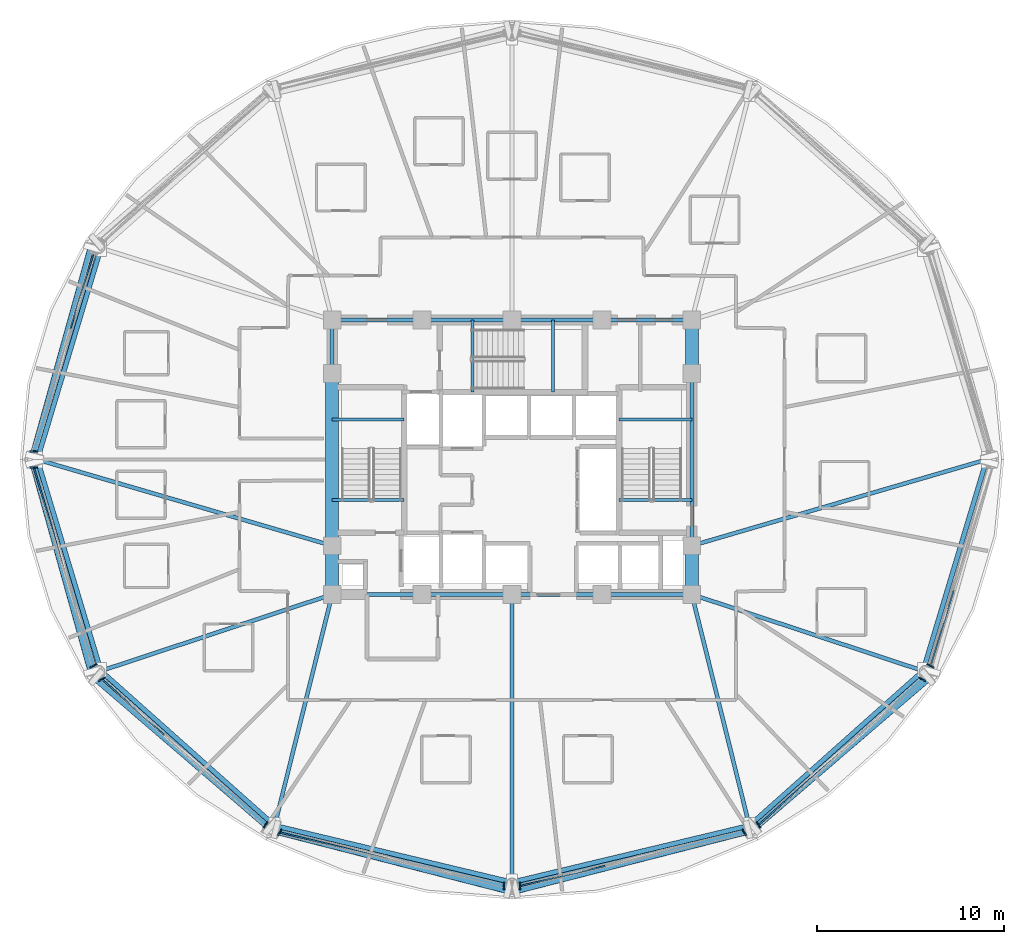
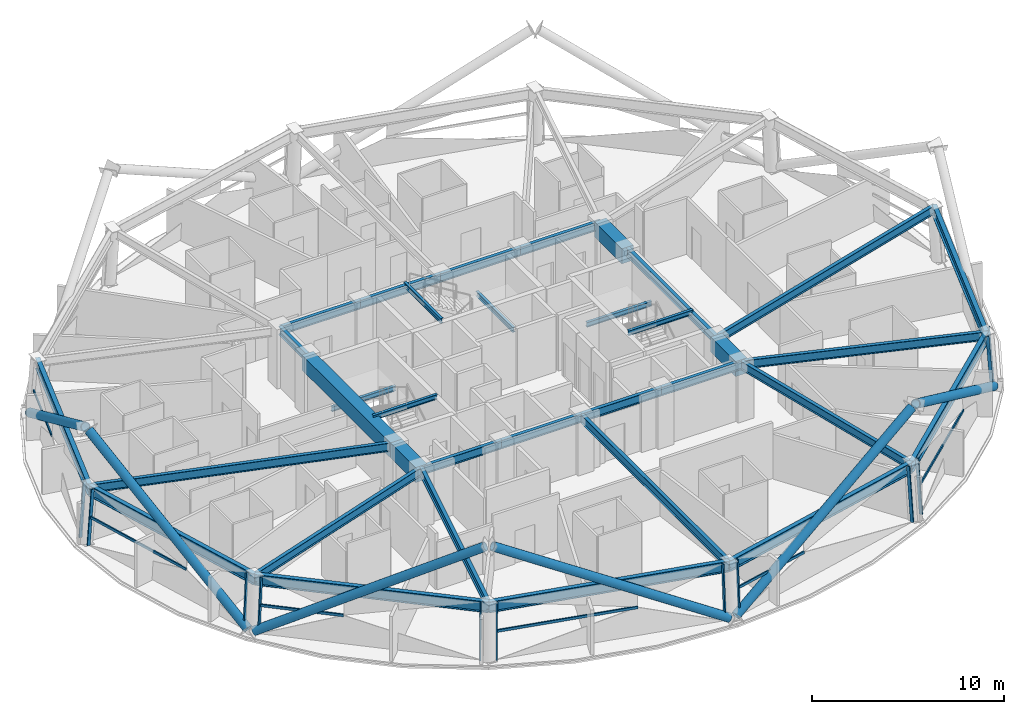
# One storey, part 2 of 14: 34 beams, 25 members, 7 elements without a shape of their own.
"""IFC4 building model written with IfcOpenShell, lengths in metres."""

from ifc_helpers import new_model, si_unit, direction, frame, origin, origin_2d, place, context, subcontext, project, spatial, rectangle, hollow_rectangle, hollow_circle, i_section, extrude, material, layer, layer_set, material_profile, profile_set, type_object, element, aggregate, save


model = new_model("IFC4")

# Units and contexts
model_context = context("Model", 3, precision=1e-05, world=origin(), true_north=direction((0.0, 1.0)))
body_context = subcontext(model_context, "Body", "Model", "MODEL_VIEW")
ifc_project = project(units=[si_unit("LENGTHUNIT", "METRE"), si_unit("AREAUNIT", "SQUARE_METRE"), si_unit("VOLUMEUNIT", "CUBIC_METRE"), si_unit("PLANEANGLEUNIT", "RADIAN"), si_unit("MASSUNIT", "GRAM", prefix="KILO")], contexts=[model_context])

# Site, building, storey
site_placement = place(None, origin())
site = spatial("IfcSite", under=ifc_project, at=site_placement, CompositionType="ELEMENT")
building_placement = place(site_placement, origin())
building = spatial("IfcBuilding", under=site, at=building_placement, Name="Vantalir Tower", CompositionType="ELEMENT")
storey_placement = place(building_placement, frame((0.0, 0.0, 112.199951171875)))
storey = spatial("IfcBuildingStorey", under=building, at=storey_placement, Name="L27", CompositionType="ELEMENT", Elevation=112.199951171875)

# Beams
ifc_material_1 = material(Name="Concrete C60/75", Category="concrete")
ifc_material_profile_1 = material_profile(ifc_material_1, rectangle(XDim=0.699951171875, YDim=0.949951171875, at=origin_2d()), Name="Concrete C60/75")
ifc_profile_set_1 = profile_set([ifc_material_profile_1], Name="Concrete C60/75")
beam_type_1 = type_object("IfcBeamType", Name="BM-CB-700x950", PredefinedType="USERDEFINED", material=ifc_profile_set_1)
beam_1_placement = place(storey_placement, frame((41.10009765625, 17.800048828125, 3.094970703125), z_axis=(0.0, 1.0, 0.0), x_axis=(-1.0, 0.0, 0.0)))
element("IfcBeam", 1, at=beam_1_placement, inside=storey, type_object=beam_type_1, Name="L27 Core Coupling Girder 05", ObjectType="GIRDER", PredefinedType="USERDEFINED", context=body_context, shape_type="SweptSolid", body=[
    extrude(rectangle(XDim=0.699951171875, YDim=0.949951171875, at=origin_2d()), origin(), (0.0, 0.0, 1.0), 2.599853515625),
])
beam_2_placement = place(storey_placement, frame((41.10009765625, 29.60009765625, 3.094970703125), z_axis=(0.0, 1.0, 0.0), x_axis=(-1.0, 0.0, 0.0)))
element("IfcBeam", 2, at=beam_2_placement, inside=storey, type_object=beam_type_1, Name="L27 Core Coupling Girder 07", ObjectType="GIRDER", PredefinedType="USERDEFINED", context=body_context, shape_type="SweptSolid", body=[
    extrude(rectangle(XDim=0.699951171875, YDim=0.949951171875, at=origin_2d()), origin(), (0.0, 0.0, 1.0), 2.849853515625),
])
beam_3_placement = place(storey_placement, frame((21.89990234375, 29.60009765625, 3.094970703125), z_axis=(0.0, -1.0, 0.0), x_axis=(1.0, 0.0, 0.0)))
element("IfcBeam", 3, at=beam_3_placement, inside=storey, type_object=beam_type_1, Name="L27 Core Coupling Girder 13", ObjectType="GIRDER", PredefinedType="USERDEFINED", context=body_context, shape_type="SweptSolid", body=[
    extrude(rectangle(XDim=0.699951171875, YDim=0.949951171875, at=origin_2d()), origin(), (0.0, 0.0, 1.0), 9.2001953125),
])
beam_4_placement = place(storey_placement, frame((21.89990234375, 20.39990234375, 3.094970703125), z_axis=(0.0, -1.0, 0.0), x_axis=(1.0, 0.0, 0.0)))
element("IfcBeam", 4, at=beam_4_placement, inside=storey, type_object=beam_type_1, Name="L27 Core Coupling Girder 14", ObjectType="GIRDER", PredefinedType="USERDEFINED", context=body_context, shape_type="SweptSolid", body=[
    extrude(rectangle(XDim=0.699951171875, YDim=0.949951171875, at=origin_2d()), origin(), (0.0, 0.0, 1.0), 2.599853515625),
])
ifc_material_2 = material(Name="Steel S355", Category="steel")
ifc_material_profile_2 = material_profile(ifc_material_2, i_section(OverallWidth=0.166015625, OverallDepth=0.306884765625, WebThickness=0.006591796875, FlangeThickness=0.01171875, at=origin_2d()), Name="Steel S355")
ifc_profile_set_2 = profile_set([ifc_material_profile_2], Name="Steel S355")
beam_type_2 = type_object("IfcBeamType", Name="BM-JS-305x165", PredefinedType="JOIST", material=ifc_profile_set_2)
for number, where, z_axis, x_axis, name in (
    (5, (21.89990234375, 22.8349609375, 3.59716796875), (1.0, 0.0, 0.0), (0.0, 1.0, 0.0), "L28 Stair ST1 Well Nosing Trimmer Beam"),
    (6, (21.89990234375, 27.14501953125, 1.52197265625), (1.0, 0.0, 0.0), (0.0, 1.0, 0.0), "L27 Stair ST1 Half-Landing Support Beam"),
):
    element("IfcBeam", number, at=place(storey_placement, frame(where, z_axis=z_axis, x_axis=x_axis)), inside=storey, type_object=beam_type_2, Name=name, PredefinedType="JOIST", context=body_context, shape_type="SweptSolid", body=[
        extrude(i_section(OverallWidth=0.166015625, OverallDepth=0.306884765625, WebThickness=0.006591796875, FlangeThickness=0.01171875, at=origin_2d()), origin(), (0.0, 0.0, 1.0), 3.840087890625),
    ])
for number, where, z_axis, x_axis, name in (
    (7, (37.2099609375, 22.8349609375, 3.59716796875), (1.0, 0.0, 0.0), (0.0, 1.0, 0.0), "L28 Stair ST2 Well Nosing Trimmer Beam"),
    (8, (37.2099609375, 27.14501953125, 1.52197265625), (1.0, 0.0, 0.0), (0.0, 1.0, 0.0), "L27 Stair ST2 Half-Landing Support Beam"),
):
    element("IfcBeam", number, at=place(storey_placement, frame(where, z_axis=z_axis, x_axis=x_axis)), inside=storey, type_object=beam_type_2, Name=name, PredefinedType="JOIST", context=body_context, shape_type="SweptSolid", body=[
        extrude(i_section(OverallWidth=0.166015625, OverallDepth=0.306884765625, WebThickness=0.006591796875, FlangeThickness=0.01171875, at=origin_2d()), origin(), (0.0, 0.0, 1.0), 3.89013671875),
    ])
for number, where, z_axis, x_axis, name in (
    (9, (29.385009765625, 28.60009765625, 3.59716796875), (0.0, 1.0, 0.0), (-1.0, 0.0, 0.0), "L28 Stair ST3 Well Nosing Trimmer Beam"),
    (10, (33.695068359375, 28.60009765625, 1.52197265625), (0.0, 1.0, 0.0), (-1.0, 0.0, 0.0), "L27 Stair ST3 Half-Landing Support Beam"),
):
    element("IfcBeam", number, at=place(storey_placement, frame(where, z_axis=z_axis, x_axis=x_axis)), inside=storey, type_object=beam_type_2, Name=name, PredefinedType="JOIST", context=body_context, shape_type="SweptSolid", body=[
        extrude(i_section(OverallWidth=0.166015625, OverallDepth=0.306884765625, WebThickness=0.006591796875, FlangeThickness=0.01171875, at=origin_2d()), origin(), (0.0, 0.0, 1.0), 3.849853515625),
    ])
ifc_material_profile_3 = material_profile(ifc_material_2, i_section(OverallWidth=0.2109375, OverallDepth=0.5390625, WebThickness=0.01171875, FlangeThickness=0.018798828125, at=origin_2d()), Name="Steel S355")
ifc_profile_set_3 = profile_set([ifc_material_profile_3], Name="Steel S355")
beam_type_3 = type_object("IfcBeamType", Name="BM-RB-533x210", PredefinedType="BEAM", material=ifc_profile_set_3)
for number, where, z_axis, x_axis, name in (
    (11, (21.89990234375, 17.800048828125, 3.300048828125), (1.0, 0.0, 0.0), (0.0, 1.0, 0.0), "L27 Core Coupling Girder 01"),
    (12, (26.699951171875, 17.800048828125, 3.300048828125), (1.0, 0.0, 0.0), (0.0, 1.0, 0.0), "L27 Core Coupling Girder 02"),
    (13, (31.5, 17.800048828125, 3.300048828125), (1.0, 0.0, 0.0), (0.0, 1.0, 0.0), "L27 Core Coupling Girder 03"),
    (14, (36.300048828125, 17.800048828125, 3.300048828125), (1.0, 0.0, 0.0), (0.0, 1.0, 0.0), "L27 Core Coupling Girder 04"),
):
    element("IfcBeam", number, at=place(storey_placement, frame(where, z_axis=z_axis, x_axis=x_axis)), inside=storey, type_object=beam_type_3, Name=name, PredefinedType="BEAM", context=body_context, shape_type="SweptSolid", body=[
        extrude(i_section(OverallWidth=0.2109375, OverallDepth=0.5390625, WebThickness=0.01171875, FlangeThickness=0.018798828125, at=origin_2d()), origin(), (0.0, 0.0, 1.0), 4.800048828125),
    ])
beam_5_placement = place(storey_placement, frame((41.10009765625, 20.39990234375, 3.300048828125), z_axis=(0.0, 1.0, 0.0), x_axis=(-1.0, 0.0, 0.0)))
element("IfcBeam", 15, at=beam_5_placement, inside=storey, type_object=beam_type_3, Name="L27 Core Coupling Girder 06", PredefinedType="BEAM", context=body_context, shape_type="SweptSolid", body=[
    extrude(i_section(OverallWidth=0.2109375, OverallDepth=0.5390625, WebThickness=0.01171875, FlangeThickness=0.018798828125, at=origin_2d()), origin(), (0.0, 0.0, 1.0), 9.2001953125),
])
for number, where, z_axis, x_axis, name in (
    (16, (41.10009765625, 32.449951171875, 3.300048828125), (-1.0, 0.0, 0.0), (0.0, -1.0, 0.0), "L27 Core Coupling Girder 08"),
    (17, (36.300048828125, 32.449951171875, 3.300048828125), (-1.0, 0.0, 0.0), (0.0, -1.0, 0.0), "L27 Core Coupling Girder 09"),
    (18, (31.5, 32.449951171875, 3.300048828125), (-1.0, 0.0, 0.0), (0.0, -1.0, 0.0), "L27 Core Coupling Girder 10"),
    (19, (26.699951171875, 32.449951171875, 3.300048828125), (-1.0, 0.0, 0.0), (0.0, -1.0, 0.0), "L27 Core Coupling Girder 11"),
):
    element("IfcBeam", number, at=place(storey_placement, frame(where, z_axis=z_axis, x_axis=x_axis)), inside=storey, type_object=beam_type_3, Name=name, PredefinedType="BEAM", context=body_context, shape_type="SweptSolid", body=[
        extrude(i_section(OverallWidth=0.2109375, OverallDepth=0.5390625, WebThickness=0.01171875, FlangeThickness=0.018798828125, at=origin_2d()), origin(), (0.0, 0.0, 1.0), 4.800048828125),
    ])
beam_6_placement = place(storey_placement, frame((21.89990234375, 32.449951171875, 3.300048828125), z_axis=(0.0, -1.0, 0.0), x_axis=(1.0, 0.0, 0.0)))
element("IfcBeam", 20, at=beam_6_placement, inside=storey, type_object=beam_type_3, Name="L27 Core Coupling Girder 12", PredefinedType="BEAM", context=body_context, shape_type="SweptSolid", body=[
    extrude(i_section(OverallWidth=0.2109375, OverallDepth=0.5390625, WebThickness=0.01171875, FlangeThickness=0.018798828125, at=origin_2d()), origin(), (0.0, 0.0, 1.0), 2.849853515625),
])
for number, where, z_axis, x_axis, name in (
    (21, (56.840087890625, 25.0, 3.300048828125), (-0.959847952894, -0.280520778775, 0.0), (0.280520778775, -0.959847952894, 0.0), "L27 Radial Floor Beam 01"),
    (22, (6.159912109375, 25.0, 3.300048828125), (0.959847952894, -0.280520778775, 0.0), (0.280520778775, 0.959847952894, 0.0), "L27 Radial Floor Beam 07"),
):
    element("IfcBeam", number, at=place(storey_placement, frame(where, z_axis=z_axis, x_axis=x_axis)), inside=storey, type_object=beam_type_3, Name=name, PredefinedType="BEAM", context=body_context, shape_type="SweptSolid", body=[
        extrude(i_section(OverallWidth=0.2109375, OverallDepth=0.5390625, WebThickness=0.01171875, FlangeThickness=0.018798828125, at=origin_2d()), origin(), (0.0, 0.0, 1.0), 16.3984375),
    ])
beam_7_placement = place(storey_placement, frame((9.554931640625, 13.717041015625, 3.300048828125), z_axis=(0.949418619953, 0.314013190944, 0.0), x_axis=(-0.314013190944, 0.949418619953, 0.0)))
element("IfcBeam", 23, at=beam_7_placement, inside=storey, type_object=beam_type_3, Name="L27 Radial Floor Beam 08", PredefinedType="BEAM", context=body_context, shape_type="SweptSolid", body=[
    extrude(i_section(OverallWidth=0.2109375, OverallDepth=0.5390625, WebThickness=0.01171875, FlangeThickness=0.018798828125, at=origin_2d()), origin(), (0.0, 0.0, 1.0), 13.002685546875),
])
beam_8_placement = place(storey_placement, frame((18.830078125, 5.45703125, 3.300048828125), z_axis=(0.241356653408, 0.970436482134, 0.0), x_axis=(-0.970436482134, 0.241356653408, 0.0)))
element("IfcBeam", 24, at=beam_8_placement, inside=storey, type_object=beam_type_3, Name="L27 Radial Floor Beam 09", PredefinedType="BEAM", context=body_context, shape_type="SweptSolid", body=[
    extrude(i_section(OverallWidth=0.2109375, OverallDepth=0.5390625, WebThickness=0.01171875, FlangeThickness=0.018798828125, at=origin_2d()), origin(), (0.0, 0.0, 1.0), 12.718994140625),
])
beam_9_placement = place(storey_placement, frame((31.5, 2.43408203125, 3.300048828125), z_axis=(0.0, 1.0, 0.0), x_axis=(-1.0, 0.0, 0.0)))
element("IfcBeam", 25, at=beam_9_placement, inside=storey, type_object=beam_type_3, Name="L27 Radial Floor Beam 10", PredefinedType="BEAM", context=body_context, shape_type="SweptSolid", body=[
    extrude(i_section(OverallWidth=0.2109375, OverallDepth=0.5390625, WebThickness=0.01171875, FlangeThickness=0.018798828125, at=origin_2d()), origin(), (0.0, 0.0, 1.0), 15.365966796875),
])
beam_10_placement = place(storey_placement, frame((44.169921875, 5.45703125, 3.300048828125), z_axis=(-0.241356653408, 0.970436482134, 0.0), x_axis=(-0.970436482134, -0.241356653408, 0.0)))
element("IfcBeam", 26, at=beam_10_placement, inside=storey, type_object=beam_type_3, Name="L27 Radial Floor Beam 11", PredefinedType="BEAM", context=body_context, shape_type="SweptSolid", body=[
    extrude(i_section(OverallWidth=0.2109375, OverallDepth=0.5390625, WebThickness=0.01171875, FlangeThickness=0.018798828125, at=origin_2d()), origin(), (0.0, 0.0, 1.0), 12.718994140625),
])
beam_11_placement = place(storey_placement, frame((53.445068359375, 13.717041015625, 3.300048828125), z_axis=(-0.949418619953, 0.314013190944, 0.0), x_axis=(-0.314013190944, -0.949418619953, 0.0)))
element("IfcBeam", 27, at=beam_11_placement, inside=storey, type_object=beam_type_3, Name="L27 Radial Floor Beam 12", PredefinedType="BEAM", context=body_context, shape_type="SweptSolid", body=[
    extrude(i_section(OverallWidth=0.2109375, OverallDepth=0.5390625, WebThickness=0.01171875, FlangeThickness=0.018798828125, at=origin_2d()), origin(), (0.0, 0.0, 1.0), 13.002685546875),
])
ifc_material_3 = material(Name="Steel S460", Category="steel")
ifc_material_profile_4 = material_profile(ifc_material_3, i_section(OverallWidth=0.256103515625, OverallDepth=0.693115234375, WebThickness=0.014404296875, FlangeThickness=0.023681640625, at=origin_2d()), Name="Steel S460")
ifc_profile_set_4 = profile_set([ifc_material_profile_4], Name="Steel S460")
beam_type_4 = type_object("IfcBeamType", Name="BM-RG-686x254", PredefinedType="USERDEFINED", material=ifc_profile_set_4)
for number, where, z_axis, x_axis, name in (
    (28, (9.554931640625, 36.282958984375, 3.22314453125), (-0.288136680777, -0.957589292542, 0.0), (0.957589292542, -0.288136680777, 0.0), "L27 Circumferential Ring Girder 06"),
    (29, (6.159912109375, 25.0, 3.22314453125), (0.288136680777, -0.957589292542, 0.0), (0.957589292542, 0.288136680777, 0.0), "L27 Circumferential Ring Girder 07"),
):
    element("IfcBeam", number, at=place(storey_placement, frame(where, z_axis=z_axis, x_axis=x_axis)), inside=storey, type_object=beam_type_4, Name=name, ObjectType="GIRDER", PredefinedType="USERDEFINED", context=body_context, shape_type="SweptSolid", body=[
        extrude(i_section(OverallWidth=0.256103515625, OverallDepth=0.693115234375, WebThickness=0.014404296875, FlangeThickness=0.023681640625, at=origin_2d()), origin(), (0.0, 0.0, 1.0), 11.78271484375),
    ])
beam_12_placement = place(storey_placement, frame((9.554931640625, 13.717041015625, 3.22314453125), z_axis=(0.746791899704, -0.665057785862, 0.0), x_axis=(0.665057785862, 0.746791899704, 0.0)))
element("IfcBeam", 30, at=beam_12_placement, inside=storey, type_object=beam_type_4, Name="L27 Circumferential Ring Girder 08", ObjectType="GIRDER", PredefinedType="USERDEFINED", context=body_context, shape_type="SweptSolid", body=[
    extrude(i_section(OverallWidth=0.256103515625, OverallDepth=0.693115234375, WebThickness=0.014404296875, FlangeThickness=0.023681640625, at=origin_2d()), origin(), (0.0, 0.0, 1.0), 12.419921875),
])
for number, where, z_axis, x_axis, name in (
    (31, (18.830078125, 5.45703125, 3.22314453125), (0.972697106811, -0.232078302307, 0.0), (0.232078302307, 0.972697106811, 0.0), "L27 Circumferential Ring Girder 09"),
    (32, (31.5, 2.43408203125, 3.22314453125), (0.972697106811, 0.232078302307, 0.0), (-0.232078302307, 0.972697106811, 0.0), "L27 Circumferential Ring Girder 10"),
):
    element("IfcBeam", number, at=place(storey_placement, frame(where, z_axis=z_axis, x_axis=x_axis)), inside=storey, type_object=beam_type_4, Name=name, ObjectType="GIRDER", PredefinedType="USERDEFINED", context=body_context, shape_type="SweptSolid", body=[
        extrude(i_section(OverallWidth=0.256103515625, OverallDepth=0.693115234375, WebThickness=0.014404296875, FlangeThickness=0.023681640625, at=origin_2d()), origin(), (0.0, 0.0, 1.0), 13.025634765625),
    ])
beam_13_placement = place(storey_placement, frame((44.169921875, 5.45703125, 3.22314453125), z_axis=(0.746791899704, 0.665057785862, 0.0), x_axis=(-0.665057785862, 0.746791899704, 0.0)))
element("IfcBeam", 33, at=beam_13_placement, inside=storey, type_object=beam_type_4, Name="L27 Circumferential Ring Girder 11", ObjectType="GIRDER", PredefinedType="USERDEFINED", context=body_context, shape_type="SweptSolid", body=[
    extrude(i_section(OverallWidth=0.256103515625, OverallDepth=0.693115234375, WebThickness=0.014404296875, FlangeThickness=0.023681640625, at=origin_2d()), origin(), (0.0, 0.0, 1.0), 12.419921875),
])
beam_14_placement = place(storey_placement, frame((53.445068359375, 13.717041015625, 3.22314453125), z_axis=(0.288136680777, 0.957589292542, 0.0), x_axis=(-0.957589292542, 0.288136680777, 0.0)))
element("IfcBeam", 34, at=beam_14_placement, inside=storey, type_object=beam_type_4, Name="L27 Circumferential Ring Girder 12", ObjectType="GIRDER", PredefinedType="USERDEFINED", context=body_context, shape_type="SweptSolid", body=[
    extrude(i_section(OverallWidth=0.256103515625, OverallDepth=0.693115234375, WebThickness=0.014404296875, FlangeThickness=0.023681640625, at=origin_2d()), origin(), (0.0, 0.0, 1.0), 11.78271484375),
])

# Curtain wall, member
ifc_material_4 = material(Name="Champagne-silver PVDF aluminium and double-silver Low-E glass", Category="aluminium")
ifc_layer = layer(ifc_material_4, 0.199951171875)
ifc_layer_set = layer_set([ifc_layer], Name="Champagne-silver PVDF aluminium and double-silver Low-E glass")
curtain_wall_type = type_object("IfcCurtainWallType", Name="CW-DIAMOND-Z2", PredefinedType="USERDEFINED", material=ifc_layer_set)
curtain_wall_1_placement = place(storey_placement, origin())
curtain_wall_1 = element("IfcCurtainWall", 35, at=curtain_wall_1_placement, inside=storey, type_object=curtain_wall_type, Name="L27 Quilted Pyramid-Diamond Curtain Wall S06", ObjectType="UNITISED CURTAIN WALL", PredefinedType="USERDEFINED")
ifc_material_5 = material(Name="Champagne-silver PVDF aluminium 6063-T6", Category="aluminium")
ifc_material_profile_5 = material_profile(ifc_material_5, hollow_rectangle(XDim=0.074951171875, YDim=0.179931640625, WallThickness=0.00390625, at=origin_2d()), Name="Champagne-silver PVDF aluminium 6063-T6")
ifc_profile_set_5 = profile_set([ifc_material_profile_5], Name="Champagne-silver PVDF aluminium 6063-T6")
member_type_1 = type_object("IfcMemberType", Name="CWM-180x75", PredefinedType="MULLION", material=ifc_profile_set_5)
member_1_placement = place(storey_placement, frame((5.84912109375, 25.4208984375, 0.045166015625), z_axis=(0.071028232085, 0.0, 0.997474305557), x_axis=(0.0, 1.0, 0.0)))
member_1 = element("IfcMember", 36, at=member_1_placement, type_object=member_type_1, Name="CW-L27-S06 Mullion 2", PredefinedType="MULLION", context=body_context, shape_type="SweptSolid", body=[
    extrude(hollow_rectangle(XDim=0.074951171875, YDim=0.179931640625, WallThickness=0.00390625, at=origin_2d()), origin(), (0.0, 0.0, 1.0), 3.48876953125),
])

# Curtain wall, members
curtain_wall_2_placement = place(storey_placement, origin())
curtain_wall_2 = element("IfcCurtainWall", 37, at=curtain_wall_2_placement, inside=storey, type_object=curtain_wall_type, Name="L27 Quilted Pyramid-Diamond Curtain Wall S07", ObjectType="UNITISED CURTAIN WALL", PredefinedType="USERDEFINED")
member_2_placement = place(storey_placement, frame((5.84912109375, 24.5791015625, 0.045166015625), z_axis=(0.071028232085, 0.0, 0.997474305557), x_axis=(0.0, 1.0, 0.0)))
member_2 = element("IfcMember", 38, at=member_2_placement, type_object=member_type_1, Name="CW-L27-S07 Mullion 1", PredefinedType="MULLION", context=body_context, shape_type="SweptSolid", body=[
    extrude(hollow_rectangle(XDim=0.074951171875, YDim=0.179931640625, WallThickness=0.00390625, at=origin_2d()), origin(), (0.0, 0.0, 1.0), 3.48876953125),
])
member_3_placement = place(storey_placement, frame((9.049072265625, 13.931884765625, 0.045166015625), z_axis=(0.061309593785, 0.031844594945, 0.9976106733), x_axis=(-0.460938024483, 0.887432328454, 0.0)))
member_3 = element("IfcMember", 39, at=member_3_placement, type_object=member_type_1, Name="CW-L27-S07 Mullion 2", PredefinedType="MULLION", context=body_context, shape_type="SweptSolid", body=[
    extrude(hollow_rectangle(XDim=0.074951171875, YDim=0.179931640625, WallThickness=0.00390625, at=origin_2d()), origin(), (0.0, 0.0, 1.0), 3.48828125),
])

curtain_wall_3_placement = place(storey_placement, origin())
curtain_wall_3 = element("IfcCurtainWall", 40, at=curtain_wall_3_placement, inside=storey, type_object=curtain_wall_type, Name="L27 Quilted Pyramid-Diamond Curtain Wall S08", ObjectType="UNITISED CURTAIN WALL", PredefinedType="USERDEFINED")
member_4_placement = place(storey_placement, frame((9.50390625, 13.218017578125, 0.045166015625), z_axis=(0.061379318381, 0.031844458225, 0.997606390194), x_axis=(-0.460523956902, 0.887647275171, 0.0)))
member_4 = element("IfcMember", 41, at=member_4_placement, type_object=member_type_1, Name="CW-L27-S08 Mullion 1", PredefinedType="MULLION", context=body_context, shape_type="SweptSolid", body=[
    extrude(hollow_rectangle(XDim=0.074951171875, YDim=0.179931640625, WallThickness=0.00390625, at=origin_2d()), origin(), (0.0, 0.0, 1.0), 3.48828125),
])
member_5_placement = place(storey_placement, frame((18.282958984375, 5.39306640625, 0.045166015625), z_axis=(0.03556199985, 0.055303110003, 0.997836113894), x_axis=(-0.841109282516, 0.540865209517, 0.0)))
member_5 = element("IfcMember", 42, at=member_5_placement, type_object=member_type_1, Name="CW-L27-S08 Mullion 2", PredefinedType="MULLION", context=body_context, shape_type="SweptSolid", body=[
    extrude(hollow_rectangle(XDim=0.074951171875, YDim=0.179931640625, WallThickness=0.00390625, at=origin_2d()), origin(), (0.0, 0.0, 1.0), 3.487548828125),
])

curtain_wall_4_placement = place(storey_placement, origin())
curtain_wall_4 = element("IfcCurtainWall", 43, at=curtain_wall_4_placement, inside=storey, type_object=curtain_wall_type, Name="L27 Quilted Pyramid-Diamond Curtain Wall S09", ObjectType="UNITISED CURTAIN WALL", PredefinedType="USERDEFINED")
member_6_placement = place(storey_placement, frame((19.0390625, 4.998046875, 0.045166015625), z_axis=(0.03556199985, 0.055303110003, 0.997836113894), x_axis=(-0.841109282516, 0.540865209517, 0.0)))
member_6 = element("IfcMember", 44, at=member_6_placement, type_object=member_type_1, Name="CW-L27-S09 Mullion 1", PredefinedType="MULLION", context=body_context, shape_type="SweptSolid", body=[
    extrude(hollow_rectangle(XDim=0.074951171875, YDim=0.179931640625, WallThickness=0.00390625, at=origin_2d()), origin(), (0.0, 0.0, 1.0), 3.487548828125),
])
member_7_placement = place(storey_placement, frame((31.072021484375, 2.1240234375, 0.045166015625), z_axis=(0.0, 0.063642293528, 0.997972774415), x_axis=(-1.0, 0.0, 0.0)))
member_7 = element("IfcMember", 45, at=member_7_placement, type_object=member_type_1, Name="CW-L27-S09 Mullion 2", PredefinedType="MULLION", context=body_context, shape_type="SweptSolid", body=[
    extrude(hollow_rectangle(XDim=0.074951171875, YDim=0.179931640625, WallThickness=0.00390625, at=origin_2d()), origin(), (0.0, 0.0, 1.0), 3.487060546875),
])

curtain_wall_5_placement = place(storey_placement, origin())
curtain_wall_5 = element("IfcCurtainWall", 46, at=curtain_wall_5_placement, inside=storey, type_object=curtain_wall_type, Name="L27 Quilted Pyramid-Diamond Curtain Wall S10", ObjectType="UNITISED CURTAIN WALL", PredefinedType="USERDEFINED")
member_8_placement = place(storey_placement, frame((31.927978515625, 2.1240234375, 0.045166015625), z_axis=(0.0, 0.063642293528, 0.997972774415), x_axis=(-1.0, 0.0, 0.0)))
member_8 = element("IfcMember", 47, at=member_8_placement, type_object=member_type_1, Name="CW-L27-S10 Mullion 1", PredefinedType="MULLION", context=body_context, shape_type="SweptSolid", body=[
    extrude(hollow_rectangle(XDim=0.074951171875, YDim=0.179931640625, WallThickness=0.00390625, at=origin_2d()), origin(), (0.0, 0.0, 1.0), 3.487060546875),
])
member_9_placement = place(storey_placement, frame((43.9609375, 4.998046875, 0.045166015625), z_axis=(-0.03556199985, 0.055303110003, 0.997836113894), x_axis=(-0.841109282516, -0.540865209517, 0.0)))
member_9 = element("IfcMember", 48, at=member_9_placement, type_object=member_type_1, Name="CW-L27-S10 Mullion 2", PredefinedType="MULLION", context=body_context, shape_type="SweptSolid", body=[
    extrude(hollow_rectangle(XDim=0.074951171875, YDim=0.179931640625, WallThickness=0.00390625, at=origin_2d()), origin(), (0.0, 0.0, 1.0), 3.487548828125),
])

curtain_wall_6_placement = place(storey_placement, origin())
curtain_wall_6 = element("IfcCurtainWall", 49, at=curtain_wall_6_placement, inside=storey, type_object=curtain_wall_type, Name="L27 Quilted Pyramid-Diamond Curtain Wall S11", ObjectType="UNITISED CURTAIN WALL", PredefinedType="USERDEFINED")
member_10_placement = place(storey_placement, frame((44.717041015625, 5.39306640625, 0.045166015625), z_axis=(-0.03556199985, 0.055303110003, 0.997836113894), x_axis=(-0.841109282516, -0.540865209517, 0.0)))
member_10 = element("IfcMember", 50, at=member_10_placement, type_object=member_type_1, Name="CW-L27-S11 Mullion 1", PredefinedType="MULLION", context=body_context, shape_type="SweptSolid", body=[
    extrude(hollow_rectangle(XDim=0.074951171875, YDim=0.179931640625, WallThickness=0.00390625, at=origin_2d()), origin(), (0.0, 0.0, 1.0), 3.487548828125),
])
member_11_placement = place(storey_placement, frame((53.49609375, 13.218017578125, 0.045166015625), z_axis=(-0.061379318381, 0.031844458225, 0.997606390194), x_axis=(-0.460523956902, -0.887647275171, 0.0)))
member_11 = element("IfcMember", 51, at=member_11_placement, type_object=member_type_1, Name="CW-L27-S11 Mullion 2", PredefinedType="MULLION", context=body_context, shape_type="SweptSolid", body=[
    extrude(hollow_rectangle(XDim=0.074951171875, YDim=0.179931640625, WallThickness=0.00390625, at=origin_2d()), origin(), (0.0, 0.0, 1.0), 3.48828125),
])

# Curtain wall, member
curtain_wall_7_placement = place(storey_placement, origin())
curtain_wall_7 = element("IfcCurtainWall", 52, at=curtain_wall_7_placement, inside=storey, type_object=curtain_wall_type, Name="L27 Quilted Pyramid-Diamond Curtain Wall S12", ObjectType="UNITISED CURTAIN WALL", PredefinedType="USERDEFINED")
member_12_placement = place(storey_placement, frame((53.950927734375, 13.931884765625, 0.045166015625), z_axis=(-0.061309593785, 0.031844594945, 0.9976106733), x_axis=(-0.460938024483, -0.887432328454, 0.0)))
member_12 = element("IfcMember", 53, at=member_12_placement, type_object=member_type_1, Name="CW-L27-S12 Mullion 1", PredefinedType="MULLION", context=body_context, shape_type="SweptSolid", body=[
    extrude(hollow_rectangle(XDim=0.074951171875, YDim=0.179931640625, WallThickness=0.00390625, at=origin_2d()), origin(), (0.0, 0.0, 1.0), 3.48828125),
])

# Member
ifc_material_profile_6 = material_profile(ifc_material_5, hollow_rectangle(XDim=0.074951171875, YDim=0.159912109375, WallThickness=0.00390625, at=origin_2d()), Name="Champagne-silver PVDF aluminium 6063-T6")
ifc_profile_set_6 = profile_set([ifc_material_profile_6], Name="Champagne-silver PVDF aluminium 6063-T6")
member_type_2 = type_object("IfcMemberType", Name="CWT-160x75", PredefinedType="USERDEFINED", material=ifc_profile_set_6)
member_13_placement = place(storey_placement, frame((9.156005859375, 36.011962890625, 1.78515625), z_axis=(-0.293130486769, -0.956072443765, 0.0), x_axis=(0.956072443765, -0.293130486769, 0.0)))
member_13 = element("IfcMember", 54, at=member_13_placement, type_object=member_type_2, Name="CW-L27-S06 Pyramid Fold Ridge Transom", ObjectType="TRANSOM", PredefinedType="USERDEFINED", context=body_context, shape_type="SweptSolid", body=[
    extrude(hollow_rectangle(XDim=0.074951171875, YDim=0.159912109375, WallThickness=0.00390625, at=origin_2d()), origin(), (0.0, 0.0, 1.0), 4.20263671875),
])

aggregate(curtain_wall_1, [member_1, member_13])

member_14_placement = place(storey_placement, frame((5.972900390625, 24.5791015625, 1.78515625), z_axis=(0.284573234622, -0.95865430377, 0.0), x_axis=(0.95865430377, 0.284573234622, 0.0)))
member_14 = element("IfcMember", 55, at=member_14_placement, type_object=member_type_2, Name="CW-L27-S07 Pyramid Fold Ridge Transom", ObjectType="TRANSOM", PredefinedType="USERDEFINED", context=body_context, shape_type="SweptSolid", body=[
    extrude(hollow_rectangle(XDim=0.074951171875, YDim=0.159912109375, WallThickness=0.00390625, at=origin_2d()), origin(), (0.0, 0.0, 1.0), 6.8564453125),
])

aggregate(curtain_wall_2, [member_2, member_3, member_14])

member_15_placement = place(storey_placement, frame((9.611083984375, 13.27392578125, 1.78515625), z_axis=(0.742949661595, -0.669347294262, 0.0), x_axis=(0.669347294262, 0.742949661595, 0.0)))
member_15 = element("IfcMember", 56, at=member_15_placement, type_object=member_type_2, Name="CW-L27-S08 Pyramid Fold Ridge Transom", ObjectType="TRANSOM", PredefinedType="USERDEFINED", context=body_context, shape_type="SweptSolid", body=[
    extrude(hollow_rectangle(XDim=0.074951171875, YDim=0.159912109375, WallThickness=0.00390625, at=origin_2d()), origin(), (0.0, 0.0, 1.0), 4.44140625),
])

aggregate(curtain_wall_3, [member_4, member_5, member_15])

member_16_placement = place(storey_placement, frame((19.10107421875, 5.093994140625, 1.78515625), z_axis=(0.971914885175, -0.235332649616, 0.0), x_axis=(0.235332649616, 0.971914885175, 0.0)))
member_16 = element("IfcMember", 57, at=member_16_placement, type_object=member_type_2, Name="CW-L27-S09 Pyramid Fold Ridge Transom", ObjectType="TRANSOM", PredefinedType="USERDEFINED", context=body_context, shape_type="SweptSolid", body=[
    extrude(hollow_rectangle(XDim=0.074951171875, YDim=0.159912109375, WallThickness=0.00390625, at=origin_2d()), origin(), (0.0, 0.0, 1.0), 7.63134765625),
])

aggregate(curtain_wall_4, [member_6, member_7, member_16])

member_17_placement = place(storey_placement, frame((31.927978515625, 2.235107421875, 1.78515625), z_axis=(0.973822336947, 0.22731048384, 0.0), x_axis=(-0.22731048384, 0.973822336947, 0.0)))
member_17 = element("IfcMember", 58, at=member_17_placement, type_object=member_type_2, Name="CW-L27-S10 Pyramid Fold Ridge Transom", ObjectType="TRANSOM", PredefinedType="USERDEFINED", context=body_context, shape_type="SweptSolid", body=[
    extrude(hollow_rectangle(XDim=0.074951171875, YDim=0.159912109375, WallThickness=0.00390625, at=origin_2d()), origin(), (0.0, 0.0, 1.0), 4.67626953125),
])

aggregate(curtain_wall_5, [member_8, member_9, member_17])

member_18_placement = place(storey_placement, frame((44.655029296875, 5.489013671875, 1.78515625), z_axis=(0.748658770457, 0.66295553804, 0.0), x_axis=(-0.66295553804, 0.748658770457, 0.0)))
member_18 = element("IfcMember", 59, at=member_18_placement, type_object=member_type_2, Name="CW-L27-S11 Pyramid Fold Ridge Transom", ObjectType="TRANSOM", PredefinedType="USERDEFINED", context=body_context, shape_type="SweptSolid", body=[
    extrude(hollow_rectangle(XDim=0.074951171875, YDim=0.159912109375, WallThickness=0.00390625, at=origin_2d()), origin(), (0.0, 0.0, 1.0), 7.258544921875),
])

aggregate(curtain_wall_6, [member_10, member_11, member_18])

member_19_placement = place(storey_placement, frame((53.843994140625, 13.988037109375, 1.78515625), z_axis=(0.293130486769, 0.956072443765, 0.0), x_axis=(-0.956072443765, 0.293130486769, 0.0)))
member_19 = element("IfcMember", 60, at=member_19_placement, type_object=member_type_2, Name="CW-L27-S12 Pyramid Fold Ridge Transom", ObjectType="TRANSOM", PredefinedType="USERDEFINED", context=body_context, shape_type="SweptSolid", body=[
    extrude(hollow_rectangle(XDim=0.074951171875, YDim=0.159912109375, WallThickness=0.00390625, at=origin_2d()), origin(), (0.0, 0.0, 1.0), 4.20263671875),
])

aggregate(curtain_wall_7, [member_12, member_19])

# Members
ifc_material_profile_7 = material_profile(ifc_material_3, hollow_circle(Radius=0.260009765625, WallThickness=0.0380859375, at=origin_2d()), Name="Steel S460")
ifc_profile_set_7 = profile_set([ifc_material_profile_7], Name="Steel S460")
member_type_3 = type_object("IfcMemberType", Name="MEM-DB-520x38", PredefinedType="BRACE", material=ifc_profile_set_7)
member_20_placement = place(storey_placement, frame((9.125, 36.306884765625, 0.193115234375), z_axis=(-0.230414380801, -0.825823698626, 0.514708103596), x_axis=(0.96321080902, -0.268746976516, 0.0)))
element("IfcMember", 61, at=member_20_placement, inside=storey, type_object=member_type_3, Name="L27 Perimeter S460 Diagrid Brace R16L", PredefinedType="BRACE", context=body_context, shape_type="SweptSolid", body=[
    extrude(hollow_circle(Radius=0.260009765625, WallThickness=0.0380859375, at=origin_2d()), origin(), (0.0, 0.0, 1.0), 13.471435546875),
])
member_21_placement = place(storey_placement, frame((9.321044921875, 13.385986328125, 0.18896484375), z_axis=(0.659392338533, -0.566838427875, 0.493858219096), x_axis=(0.651881265507, 0.758321050533, 0.0)))
element("IfcMember", 62, at=member_21_placement, inside=storey, type_object=member_type_3, Name="L27 Perimeter S460 Diagrid Brace R22L", PredefinedType="BRACE", context=body_context, shape_type="SweptSolid", body=[
    extrude(hollow_circle(Radius=0.260009765625, WallThickness=0.0380859375, at=origin_2d()), origin(), (0.0, 0.0, 1.0), 14.056884765625),
])
member_22_placement = place(storey_placement, frame((9.125, 13.693115234375, 0.193115234375), z_axis=(-0.230414380801, 0.825823698626, 0.514708103596), x_axis=(-0.96321080902, -0.268746976516, 0.0)))
element("IfcMember", 63, at=member_22_placement, inside=storey, type_object=member_type_3, Name="L27 Perimeter S460 Diagrid Brace R22R", PredefinedType="BRACE", context=body_context, shape_type="SweptSolid", body=[
    extrude(hollow_circle(Radius=0.260009765625, WallThickness=0.0380859375, at=origin_2d()), origin(), (0.0, 0.0, 1.0), 13.471435546875),
])
for number, where, z_axis, x_axis, name in (
    (64, (31.68701171875, 2.070068359375, 0.18505859375), (0.851176240512, 0.218106259883, 0.477418754333), (-0.248221512028, 0.968703298728, 0.0), "L27 Perimeter S460 Diagrid Brace R28L"),
    (65, (31.31298828125, 2.070068359375, 0.18505859375), (-0.851176240512, 0.218106259883, 0.477418754333), (-0.248221512028, -0.968703298728, 0.0), "L27 Perimeter S460 Diagrid Brace R28R"),
):
    element("IfcMember", number, at=place(storey_placement, frame(where, z_axis=z_axis, x_axis=x_axis)), inside=storey, type_object=member_type_3, Name=name, PredefinedType="BRACE", context=body_context, shape_type="SweptSolid", body=[
        extrude(hollow_circle(Radius=0.260009765625, WallThickness=0.0380859375, at=origin_2d()), origin(), (0.0, 0.0, 1.0), 14.557373046875),
    ])
member_23_placement = place(storey_placement, frame((53.678955078125, 13.385986328125, 0.18896484375), z_axis=(-0.659392338533, -0.566838427875, 0.493858219096), x_axis=(0.651881265507, -0.758321050533, 0.0)))
element("IfcMember", 66, at=member_23_placement, inside=storey, type_object=member_type_3, Name="L27 Perimeter S460 Diagrid Brace R34R", PredefinedType="BRACE", context=body_context, shape_type="SweptSolid", body=[
    extrude(hollow_circle(Radius=0.260009765625, WallThickness=0.0380859375, at=origin_2d()), origin(), (0.0, 0.0, 1.0), 14.056884765625),
])

save(model, "model.ifc")
